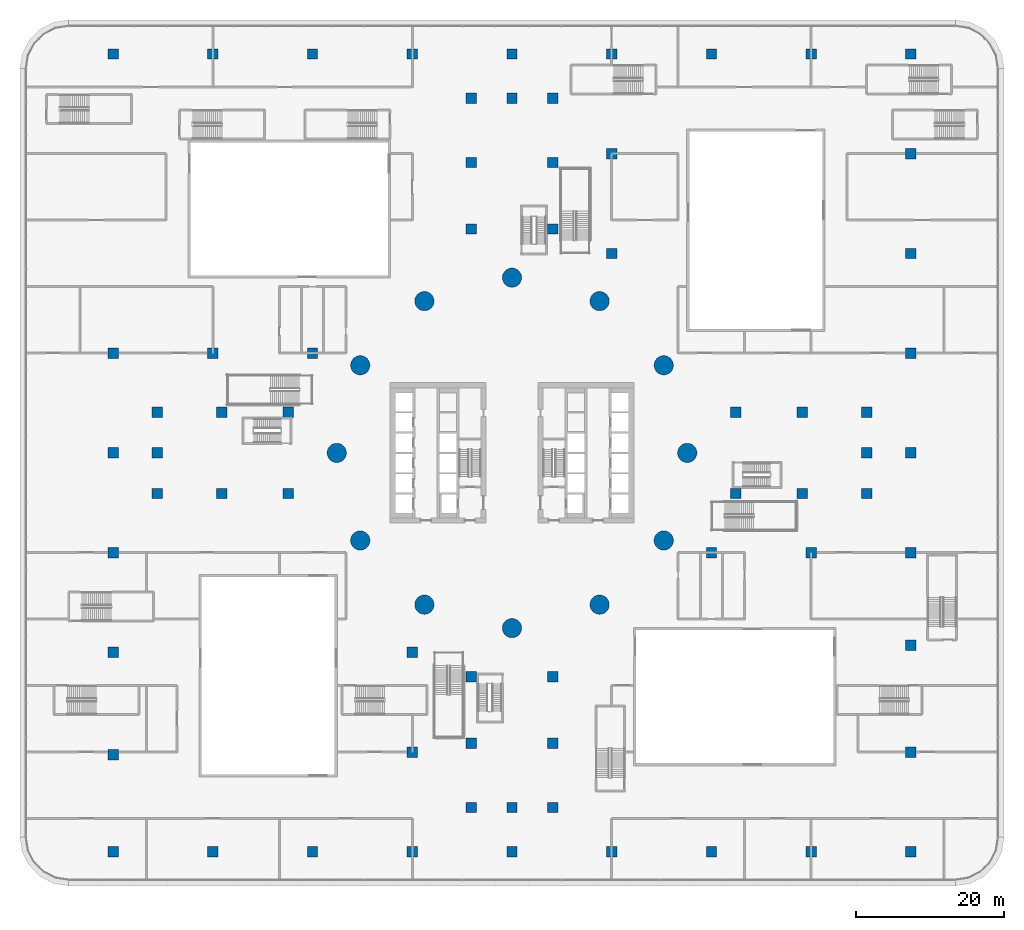
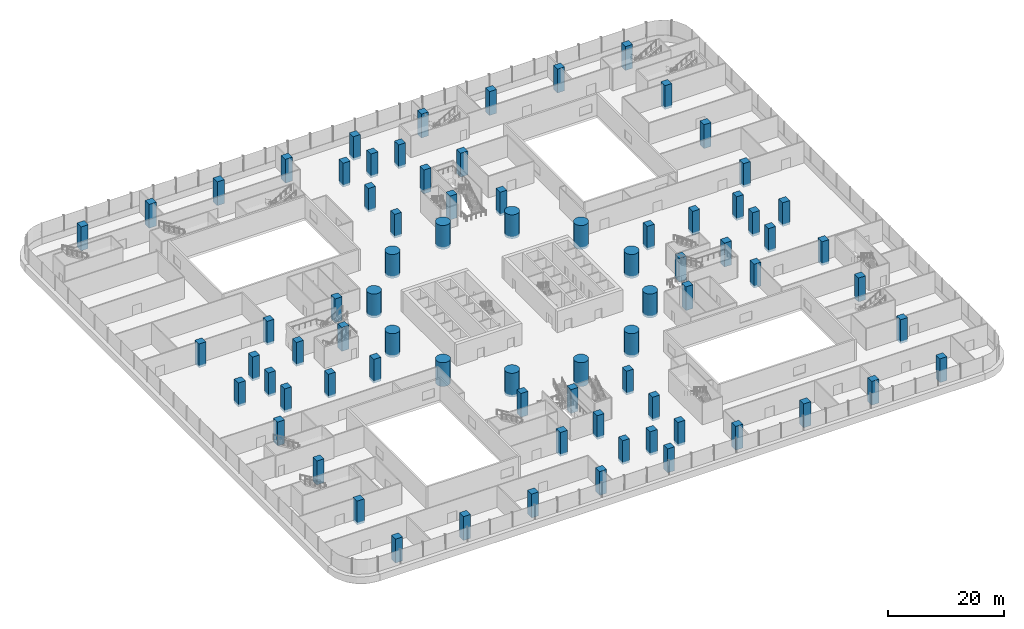
# One storey, part 1 of 44: 78 columns.
"""IFC4 building model written with IfcOpenShell, lengths in metres."""

from ifc_helpers import new_model, si_unit, direction, frame, origin, origin_2d, place, context, subcontext, project, spatial, rectangle, circle, extrude, material, material_profile, profile_set, type_object, element, save


model = new_model("IFC4")

# Units and contexts
model_context = context("Model", 3, precision=1e-05, world=origin(), true_north=direction((0.0, 1.0)))
body_context = subcontext(model_context, "Body", "Model", "MODEL_VIEW")
ifc_project = project(units=[si_unit("LENGTHUNIT", "METRE"), si_unit("AREAUNIT", "SQUARE_METRE"), si_unit("VOLUMEUNIT", "CUBIC_METRE"), si_unit("PLANEANGLEUNIT", "RADIAN"), si_unit("MASSUNIT", "GRAM", prefix="KILO")], contexts=[model_context])

# Site, building, storey
site_placement = place(None, origin())
site = spatial("IfcSite", under=ifc_project, at=site_placement, CompositionType="ELEMENT")
building_placement = place(site_placement, origin())
building = spatial("IfcBuilding", under=site, at=building_placement, Name="Tamarind Cross Interchange Tower", CompositionType="ELEMENT")
storey_placement = place(building_placement, frame((0.0, 0.0, 15.0)))
storey = spatial("IfcBuildingStorey", under=building, at=storey_placement, Name="L02", CompositionType="ELEMENT", Elevation=15.0)

# Columns
ifc_material = material(Name="Concrete C80", Category="concrete")
ifc_material_profile_1 = material_profile(ifc_material, rectangle(XDim=1.39990234375, YDim=1.39990234375, at=origin_2d()), Name="RC 1400x1400")
ifc_profile_set_1 = profile_set([ifc_material_profile_1], Name="Concrete C80")
column_type_1 = type_object("IfcColumnType", Name="Column RC 1400x1400 Concrete C80", PredefinedType="COLUMN", material=ifc_profile_set_1)
for number, where, z_axis, x_axis, name in (
    (1, (39.300048828125, 5.5, -0.5), (0.0, 0.0, 1.0), (1.0, 0.0, 0.0), "Column E.ep0"),
    (2, (39.300048828125, -5.5, -0.5), (0.0, 0.0, 1.0), (1.0, 0.0, 0.0), "Column E.em0"),
    (3, (30.300048828125, 5.5, -0.5), (0.0, 0.0, 1.0), (1.0, 0.0, 0.0), "Column E.ep1"),
    (4, (30.300048828125, -5.5, -0.5), (0.0, 0.0, 1.0), (1.0, 0.0, 0.0), "Column E.em1"),
    (5, (48.007568359375, -5.5, -0.5), (0.0, 0.0, 1.0), (1.0, 0.0, 0.0), "Column E.t0"),
    (6, (48.007568359375, 0.0, -0.5), (0.0, 0.0, 1.0), (1.0, 0.0, 0.0), "Column E.t1"),
    (7, (48.007568359375, 5.5, -0.5), (0.0, 0.0, 1.0), (1.0, 0.0, 0.0), "Column E.t2"),
    (8, (-5.5, 39.300048828125, -0.5), (0.0, 0.0, 1.0), (1.0, 0.0, 0.0), "Column N.ep0"),
    (9, (5.5, 39.300048828125, -0.5), (0.0, 0.0, 1.0), (1.0, 0.0, 0.0), "Column N.em0"),
    (10, (-5.5, 30.300048828125, -0.5), (0.0, 0.0, 1.0), (1.0, 0.0, 0.0), "Column N.ep1"),
    (11, (5.5, 30.300048828125, -0.5), (0.0, 0.0, 1.0), (1.0, 0.0, 0.0), "Column N.em1"),
    (12, (5.5, 48.007568359375, -0.5), (0.0, 0.0, 1.0), (1.0, 0.0, 0.0), "Column N.t0"),
    (13, (0.0, 48.007568359375, -0.5), (0.0, 0.0, 1.0), (1.0, 0.0, 0.0), "Column N.t1"),
    (14, (-5.5, 48.007568359375, -0.5), (0.0, 0.0, 1.0), (1.0, 0.0, 0.0), "Column N.t2"),
    (15, (-39.300048828125, -5.5, -0.5), (0.0, 0.0, 1.0), (1.0, 0.0, 0.0), "Column W.ep0"),
    (16, (-39.300048828125, 5.5, -0.5), (0.0, 0.0, 1.0), (1.0, 0.0, 0.0), "Column W.em0"),
    (17, (-30.300048828125, -5.5, -0.5), (0.0, 0.0, 1.0), (1.0, 0.0, 0.0), "Column W.ep1"),
    (18, (-30.300048828125, 5.5, -0.5), (0.0, 0.0, 1.0), (1.0, 0.0, 0.0), "Column W.em1"),
    (19, (-48.007568359375, 5.5, -0.5), (0.0, 0.0, 1.0), (1.0, 0.0, 0.0), "Column W.t0"),
    (20, (-48.007568359375, 0.0, -0.5), (0.0, 0.0, 1.0), (1.0, 0.0, 0.0), "Column W.t1"),
    (21, (-48.007568359375, -5.5, -0.5), (0.0, 0.0, 1.0), (1.0, 0.0, 0.0), "Column W.t2"),
    (22, (5.5, -39.300048828125, -0.5), (0.0, 0.0, 1.0), (1.0, 0.0, 0.0), "Column S.ep0"),
    (23, (-5.5, -39.300048828125, -0.5), (0.0, 0.0, 1.0), (1.0, 0.0, 0.0), "Column S.em0"),
    (24, (5.5, -30.300048828125, -0.5), (0.0, 0.0, 1.0), (1.0, 0.0, 0.0), "Column S.ep1"),
    (25, (-5.5, -30.300048828125, -0.5), (0.0, 0.0, 1.0), (1.0, 0.0, 0.0), "Column S.em1"),
    (26, (-5.5, -48.007568359375, -0.5), (0.0, 0.0, 1.0), (1.0, 0.0, 0.0), "Column S.t0"),
    (27, (0.0, -48.007568359375, -0.5), (0.0, 0.0, 1.0), (1.0, 0.0, 0.0), "Column S.t1"),
    (28, (5.5, -48.007568359375, -0.5), (0.0, 0.0, 1.0), (1.0, 0.0, 0.0), "Column S.t2"),
    (29, (-54.0, -54.0, -0.5), (0.0, 0.0, 1.0), (1.0, 0.0, 0.0), "Column G01"),
    (30, (-54.0, -40.85009765625, -0.5), (0.0, 0.0, 1.0), (1.0, 0.0, 0.0), "Column G02"),
    (31, (-54.0, -27.0, -0.5), (0.0, 0.0, 1.0), (1.0, 0.0, 0.0), "Column G03"),
    (32, (-54.0, -13.5, -0.5), (0.0, 0.0, 1.0), (1.0, 0.0, 0.0), "Column G04"),
    (33, (-54.0, 0.0, -0.5), (0.0, 0.0, 1.0), (1.0, 0.0, 0.0), "Column G05"),
    (34, (-54.0, 13.5, -0.5), (0.0, 0.0, 1.0), (1.0, 0.0, 0.0), "Column G06"),
    (35, (-54.0, 54.0, -0.5), (0.0, 0.0, 1.0), (1.0, 0.0, 0.0), "Column G07"),
    (36, (-40.5, -54.0, -0.5), (0.0, 0.0, 1.0), (1.0, 0.0, 0.0), "Column G08"),
    (37, (-40.5, 13.5, -0.5), (0.0, 0.0, 1.0), (1.0, 0.0, 0.0), "Column G09"),
    (38, (-40.5, 54.0, -0.5), (0.0, 0.0, 1.0), (1.0, 0.0, 0.0), "Column G10"),
    (39, (-27.0, -54.0, -0.5), (0.0, 0.0, 1.0), (1.0, 0.0, 0.0), "Column G11"),
    (40, (-27.0, 13.5, -0.5), (0.0, 0.0, 1.0), (1.0, 0.0, 0.0), "Column G12"),
    (41, (-27.0, 54.0, -0.5), (0.0, 0.0, 1.0), (1.0, 0.0, 0.0), "Column G13"),
    (42, (-13.5, -54.0, -0.5), (0.0, 0.0, 1.0), (1.0, 0.0, 0.0), "Column G14"),
    (43, (-13.5, -40.5, -0.5), (0.0, 0.0, 1.0), (1.0, 0.0, 0.0), "Column G15"),
    (44, (-13.5, -27.0, -0.5), (0.0, 0.0, 1.0), (1.0, 0.0, 0.0), "Column G16"),
    (45, (-13.5, 54.0, -0.5), (0.0, 0.0, 1.0), (1.0, 0.0, 0.0), "Column G17"),
    (46, (0.0, -54.0, -0.5), (0.0, 0.0, 1.0), (1.0, 0.0, 0.0), "Column G18"),
    (47, (0.0, 54.0, -0.5), (0.0, 0.0, 1.0), (1.0, 0.0, 0.0), "Column G19"),
    (48, (13.5, -54.0, -0.5), (0.0, 0.0, 1.0), (1.0, 0.0, 0.0), "Column G20"),
    (49, (13.5, 27.0, -0.5), (0.0, 0.0, 1.0), (1.0, 0.0, 0.0), "Column G21"),
    (50, (13.5, 40.5, -0.5), (0.0, 0.0, 1.0), (1.0, 0.0, 0.0), "Column G22"),
    (51, (13.5, 54.0, -0.5), (0.0, 0.0, 1.0), (1.0, 0.0, 0.0), "Column G23"),
    (52, (27.0, -54.0, -0.5), (0.0, 0.0, 1.0), (1.0, 0.0, 0.0), "Column G24"),
    (53, (27.0, -13.5, -0.5), (0.0, 0.0, 1.0), (1.0, 0.0, 0.0), "Column G25"),
    (54, (27.0, 54.0, -0.5), (0.0, 0.0, 1.0), (1.0, 0.0, 0.0), "Column G26"),
    (55, (40.5, -54.0, -0.5), (0.0, 0.0, 1.0), (1.0, 0.0, 0.0), "Column G27"),
    (56, (40.5, -13.5, -0.5), (0.0, 0.0, 1.0), (1.0, 0.0, 0.0), "Column G28"),
    (57, (40.5, 54.0, -0.5), (0.0, 0.0, 1.0), (1.0, 0.0, 0.0), "Column G29"),
    (58, (54.0, -54.0, -0.5), (0.0, 0.0, 1.0), (1.0, 0.0, 0.0), "Column G30"),
    (59, (54.0, -40.5, -0.5), (0.0, 0.0, 1.0), (1.0, 0.0, 0.0), "Column G31"),
    (60, (54.0, -26.050048828125, -0.5), (0.0, 0.0, 1.0), (1.0, 0.0, 0.0), "Column G32"),
    (61, (54.0, -13.5, -0.5), (0.0, 0.0, 1.0), (1.0, 0.0, 0.0), "Column G33"),
    (62, (54.0, 0.0, -0.5), (0.0, 0.0, 1.0), (1.0, 0.0, 0.0), "Column G34"),
    (63, (54.0, 13.5, -0.5), (0.0, 0.0, 1.0), (1.0, 0.0, 0.0), "Column G35"),
    (64, (54.0, 27.0, -0.5), (0.0, 0.0, 1.0), (1.0, 0.0, 0.0), "Column G36"),
    (65, (54.0, 40.5, -0.5), (0.0, 0.0, 1.0), (1.0, 0.0, 0.0), "Column G37"),
    (66, (54.0, 54.0, -0.5), (0.0, 0.0, 1.0), (1.0, 0.0, 0.0), "Column G38"),
):
    element("IfcColumn", number, at=place(storey_placement, frame(where, z_axis=z_axis, x_axis=x_axis)), inside=storey, type_object=column_type_1, Name=name, PredefinedType="COLUMN", context=body_context, shape_type="SweptSolid", body=[
        extrude(rectangle(XDim=1.39990234375, YDim=1.39990234375, at=origin_2d()), origin(), (0.0, 0.0, 1.0), 5.0),
    ])
ifc_material_profile_2 = material_profile(ifc_material, circle(Radius=1.300048828125, at=origin_2d()), Name="RC D2600")
ifc_profile_set_2 = profile_set([ifc_material_profile_2], Name="Concrete C80")
column_type_2 = type_object("IfcColumnType", Name="Column RC D2600 Concrete C80", PredefinedType="COLUMN", material=ifc_profile_set_2)
for number, where, z_axis, x_axis, name in (
    (67, (23.720703125, 0.0, -0.5), (0.0, 0.0, 1.0), (1.0, 0.0, 0.0), "Ring column R01"),
    (68, (20.542724609375, 11.8603515625, -0.5), (0.0, 0.0, 1.0), (1.0, 0.0, 0.0), "Ring column R02"),
    (69, (11.8603515625, 20.542724609375, -0.5), (0.0, 0.0, 1.0), (1.0, 0.0, 0.0), "Ring column R03"),
    (70, (0.0, 23.720703125, -0.5), (0.0, 0.0, 1.0), (1.0, 0.0, 0.0), "Ring column R04"),
    (71, (-11.8603515625, 20.542724609375, -0.5), (0.0, 0.0, 1.0), (1.0, 0.0, 0.0), "Ring column R05"),
    (72, (-20.542724609375, 11.8603515625, -0.5), (0.0, 0.0, 1.0), (1.0, 0.0, 0.0), "Ring column R06"),
    (73, (-23.720703125, 0.0, -0.5), (0.0, 0.0, 1.0), (1.0, 0.0, 0.0), "Ring column R07"),
    (74, (-20.542724609375, -11.8603515625, -0.5), (0.0, 0.0, 1.0), (1.0, 0.0, 0.0), "Ring column R08"),
    (75, (-11.8603515625, -20.542724609375, -0.5), (0.0, 0.0, 1.0), (1.0, 0.0, 0.0), "Ring column R09"),
    (76, (0.0, -23.720703125, -0.5), (0.0, 0.0, 1.0), (1.0, 0.0, 0.0), "Ring column R10"),
    (77, (11.8603515625, -20.542724609375, -0.5), (0.0, 0.0, 1.0), (1.0, 0.0, 0.0), "Ring column R11"),
    (78, (20.542724609375, -11.8603515625, -0.5), (0.0, 0.0, 1.0), (1.0, 0.0, 0.0), "Ring column R12"),
):
    element("IfcColumn", number, at=place(storey_placement, frame(where, z_axis=z_axis, x_axis=x_axis)), inside=storey, type_object=column_type_2, Name=name, PredefinedType="COLUMN", context=body_context, shape_type="SweptSolid", body=[
        extrude(circle(Radius=1.300048828125, at=origin_2d()), origin(), (0.0, 0.0, 1.0), 5.0),
    ])

save(model, "model.ifc")
